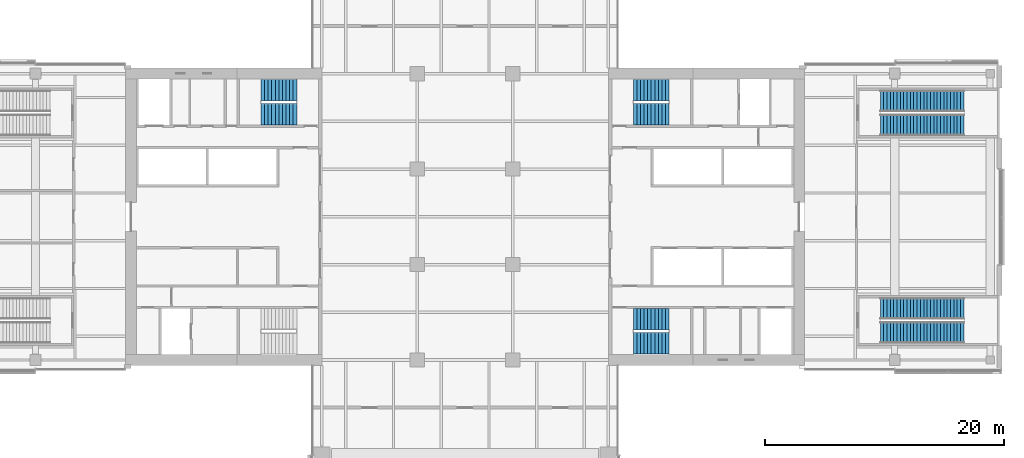
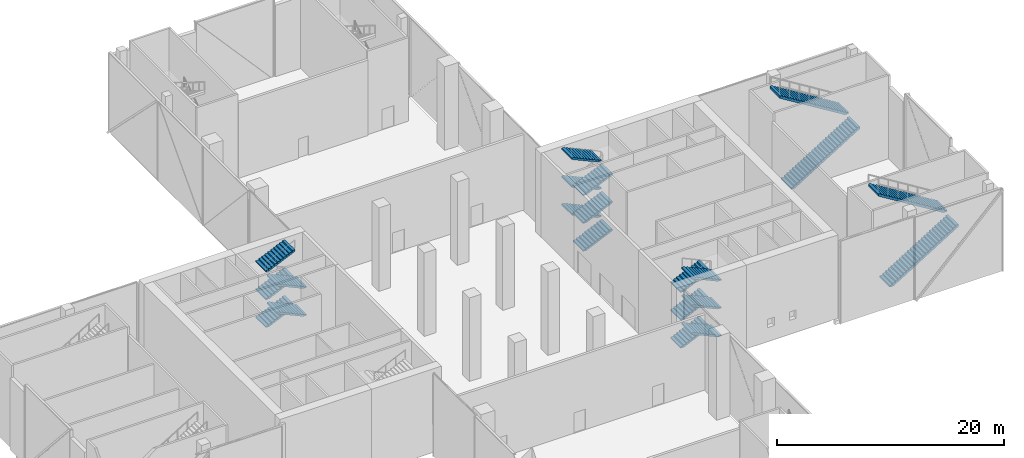
# One storey, part 19 of 26: 21 stair flights, 5 elements without a shape of their own.
"""IFC4 building model written with IfcOpenShell, lengths in metres."""

import ifcopenshell
import ifcopenshell.guid

model = None  # the IFC model being written
_history = None  # IfcOwnerHistory: only IFC2X3 demands one
_inside = {}  # id of a spatial element -> (the spatial element, [elements in it])
_under = {}  # id of a project, library or spatial element -> (it, [spatial elements below it])
_declared = {}  # id of a project -> (the project, [libraries it declares])
_typed = {}  # id of a type object -> (the type object, [elements of that type])
_made_of = {}  # id of a material, layer set ... -> (it, [elements and type objects made of it])


def new_model(schema):
    """Start an empty IFC model of exactly this schema.

    Asked for "IFC4X3", IfcOpenShell would pick the latest addendum, in which some entities
    have other attributes; the version numbers below select the first issue.
    IFC2X3 requires an IfcOwnerHistory on every rooted entity: one is made here for all.
    """
    global model, _history
    if schema == "IFC4X3":
        model = ifcopenshell.file(schema_version=(4, 3, 0, 0))
    else:
        model = ifcopenshell.file(schema=schema)
    _inside.clear()
    _under.clear()
    _declared.clear()
    _typed.clear()
    _made_of.clear()
    _history = None
    if model.schema == "IFC2X3":
        org = make("IfcOrganization", Name="unknown")
        user = make(
            "IfcPersonAndOrganization",
            ThePerson=make("IfcPerson", FamilyName="unknown"),
            TheOrganization=org,
        )
        app = make(
            "IfcApplication",
            ApplicationDeveloper=org,
            Version="unknown",
            ApplicationFullName="unknown",
            ApplicationIdentifier="unknown",
        )
        _history = make(
            "IfcOwnerHistory",
            OwningUser=user,
            OwningApplication=app,
            ChangeAction="ADDED",
            CreationDate=0,
        )
    return model


def make(cls, **values):
    """One entity of the class cls with the attributes given. An attribute that is None is left unset."""
    return model.create_entity(
        cls, **{name: value for name, value in values.items() if value is not None}
    )


def rooted(cls, **values):
    """An entity with a GlobalId (a new one), such as an element, a storey or a relation."""
    return make(cls, GlobalId=ifcopenshell.guid.new(), OwnerHistory=_history, **values)


def si_unit(unit_type, name, prefix=None):
    """IfcSIUnit, for example si_unit("LENGTHUNIT", "METRE", prefix="MILLI")."""
    return make("IfcSIUnit", UnitType=unit_type, Prefix=prefix, Name=name)


def assignment(units):
    """IfcUnitAssignment: the units of a project."""
    return None if units is None else make("IfcUnitAssignment", Units=units)


def point(xyz):
    """IfcCartesianPoint."""
    return None if xyz is None else make("IfcCartesianPoint", Coordinates=xyz)


def direction(xyz):
    """IfcDirection."""
    return None if xyz is None else make("IfcDirection", DirectionRatios=xyz)


def frame(location, z_axis=None, x_axis=None):
    """IfcAxis2Placement3D, a coordinate frame: its origin and axes. An axis left out is left unset."""
    return make(
        "IfcAxis2Placement3D",
        Location=point(location),
        Axis=direction(z_axis),
        RefDirection=direction(x_axis),
    )


def origin():
    """The frame at (0, 0, 0) with its axes left unset."""
    return frame((0.0, 0.0, 0.0))


def place(relative_to, where):
    """IfcLocalPlacement: puts the frame where relative to a parent placement (None: the world)."""
    return make(
        "IfcLocalPlacement", PlacementRelTo=relative_to, RelativePlacement=where
    )


def context(
    kind, dimensions, precision=None, world=None, true_north=None, identifier=None
):
    """IfcGeometricRepresentationContext, for example the 3D "Model" context."""
    return make(
        "IfcGeometricRepresentationContext",
        ContextIdentifier=identifier,
        ContextType=kind,
        CoordinateSpaceDimension=dimensions,
        Precision=precision,
        WorldCoordinateSystem=world,
        TrueNorth=true_north,
    )


def subcontext(parent, identifier, kind, view, scale=None):
    """IfcGeometricRepresentationSubContext, for example "Body" below "Model"."""
    return make(
        "IfcGeometricRepresentationSubContext",
        ContextIdentifier=identifier,
        ContextType=kind,
        ParentContext=parent,
        TargetScale=scale,
        TargetView=view,
    )


def project(units=None, contexts=None):
    """IfcProject with its units and contexts."""
    return rooted(
        "IfcProject",
        Name="project",
        RepresentationContexts=contexts,
        UnitsInContext=assignment(units),
    )


def spatial(cls, under=None, at=None, **own):
    """A site, building, storey or space (cls), placed at a placement, below another one or the project."""
    s = rooted(cls, ObjectPlacement=at, **own)
    if under is not None:
        _under.setdefault(under.id(), (under, []))[1].append(s)
    return s


def polyline(points):
    """IfcPolyline through the points."""
    return make("IfcPolyline", Points=[point(p) for p in points])


def outline(outer, holes=None, kind="AREA"):
    """IfcArbitraryClosedProfileDef: a profile drawn as a closed curve; with holes, ...WithVoids."""
    if holes is None:
        return make("IfcArbitraryClosedProfileDef", ProfileType=kind, OuterCurve=outer)
    return make(
        "IfcArbitraryProfileDefWithVoids",
        ProfileType=kind,
        OuterCurve=outer,
        InnerCurves=holes,
    )


def extrude(swept, where, along, depth):
    """IfcExtrudedAreaSolid: the profile swept, set in the frame where, extruded along a direction by depth."""
    return make(
        "IfcExtrudedAreaSolid",
        SweptArea=swept,
        Position=where,
        ExtrudedDirection=direction(along),
        Depth=depth,
    )


def shape(context_of_items, identifier, shape_type, items):
    """IfcShapeRepresentation: the items that make up one representation, for example the "Body"."""
    return make(
        "IfcShapeRepresentation",
        ContextOfItems=context_of_items,
        RepresentationIdentifier=identifier,
        RepresentationType=shape_type,
        Items=items,
    )


def material(Name=None, Category=None):
    """IfcMaterial."""
    return make("IfcMaterial", Name=Name, Category=Category)


def made_of(thing, what):
    """Note that an element or type object is made of a material, layer set ...; save() writes the relation."""
    if what is not None:
        _made_of.setdefault(what.id(), (what, []))[1].append(thing)
    return thing


def type_object(cls, material=None, **own):
    """A type object (cls), such as IfcWallType, which elements share."""
    return made_of(rooted(cls, **own), material)


def element(
    cls,
    number,
    at=None,
    inside=None,
    cuts=None,
    type_object=None,
    material=None,
    context=None,
    identifier="Body",
    shape_type=None,
    held_by="IfcProductDefinitionShape",
    body=None,
    shapes=None,
    **own,
):
    """One element of the class cls, such as IfcWall. Its Tag is "e" and its number.

    at: its placement. inside: the storey or other place that contains it. cuts: it is an
    opening in that element (IfcRelVoidsElement). A single representation is given by context,
    identifier, shape_type and body (its items); several are given by shapes. held_by: the class
    of the entity that holds the representations. save() writes the other relations.
    """
    e = rooted(cls, Tag="e%d" % number, ObjectPlacement=at, **own)
    if body is not None:
        shapes = [shape(context, identifier, shape_type, body)]
    if shapes is not None:
        e.Representation = make(held_by, Representations=shapes)
    if inside is not None:
        _inside.setdefault(inside.id(), (inside, []))[1].append(e)
    if cuts is not None:
        rooted(
            "IfcRelVoidsElement", RelatingBuildingElement=cuts, RelatedOpeningElement=e
        )
    if type_object is not None:
        _typed.setdefault(type_object.id(), (type_object, []))[1].append(e)
    return made_of(e, material)


def aggregate(whole, parts):
    """IfcRelAggregates: a whole, such as a stair, and the parts it consists of."""
    return rooted("IfcRelAggregates", RelatingObject=whole, RelatedObjects=parts)


def save(model, path):
    """Write the relations noted so far, then the file.

    IfcRelAggregates (storeys below a building ...), IfcRelContainedInSpatialStructure (elements
    in a storey), IfcRelDefinesByType, IfcRelAssociatesMaterial and IfcRelDeclares: one each for
    every whole, place, type object, material and project.
    """
    for whole, parts in _under.values():
        aggregate(whole, parts)
    for where, things in _inside.values():
        rooted(
            "IfcRelContainedInSpatialStructure",
            RelatedElements=things,
            RelatingStructure=where,
        )
    for kind, things in _typed.values():
        rooted("IfcRelDefinesByType", RelatedObjects=things, RelatingType=kind)
    for what, things in _made_of.values():
        rooted("IfcRelAssociatesMaterial", RelatedObjects=things, RelatingMaterial=what)
    for by, libraries in _declared.values():
        rooted("IfcRelDeclares", RelatingContext=by, RelatedDefinitions=libraries)
    model.write(path)


model = new_model("IFC4")

# Units and contexts
model_context = context("Model", 3, precision=1e-05, world=origin(), true_north=direction((0.0, 1.0)))
body_context = subcontext(model_context, "Body", "Model", "MODEL_VIEW")
ifc_project = project(units=[si_unit("LENGTHUNIT", "METRE"), si_unit("AREAUNIT", "SQUARE_METRE"), si_unit("VOLUMEUNIT", "CUBIC_METRE"), si_unit("PLANEANGLEUNIT", "RADIAN"), si_unit("MASSUNIT", "GRAM", prefix="KILO")], contexts=[model_context])

# Site, building, storey
site_placement = place(None, origin())
site = spatial("IfcSite", under=ifc_project, at=site_placement, CompositionType="ELEMENT")
building_placement = place(site_placement, origin())
building = spatial("IfcBuilding", under=site, at=building_placement, Name="Crosswind Convention Tower", CompositionType="ELEMENT")
storey_placement = place(building_placement, frame((0.0, 0.0, 25.0)))
storey = spatial("IfcBuildingStorey", under=building, at=storey_placement, Name="L03", CompositionType="ELEMENT", Elevation=25.0)

# Stair, stair flights
ifc_material = material(Name="Concrete C40/50", Category="concrete")
stair_type_1 = type_object("IfcStairType", Name="PODIUM EXIT STAIR 9000 RISE", PredefinedType="HALF_TURN_STAIR", material=ifc_material)
stair_1_placement = place(storey_placement, origin())
stair_1 = element("IfcStair", 1, at=stair_1_placement, inside=storey, type_object=stair_type_1, Name="Exit stair E1 L03", ObjectType="ST12", PredefinedType="HALF_TURN_STAIR")
stair_flight_type_1 = type_object("IfcStairFlightType", Name="PODIUM STAIR FLIGHT 26 RISERS", PredefinedType="STRAIGHT", material=ifc_material)
stair_flight_1_placement = place(storey_placement, frame((159.800048828125, 90.300048828125, 0.0), z_axis=(0.0, 0.0, 1.0), x_axis=(1.0, 0.0, 0.0)))
stair_flight_1 = element("IfcStairFlight", 2, at=stair_flight_1_placement, type_object=stair_flight_type_1, Name="ST12 flight 1", NumberOfRisers=26, NumberOfTreads=25, PredefinedType="STRAIGHT", RiserHeight=0.173077, TreadLength=0.28, context=body_context, shape_type="SweptSolid", body=[
    extrude(outline(polyline([(0.0, 0.0), (0.0, 0.173095703125), (0.280029296875, 0.173095703125), (0.280029296875, 0.34619140625), (0.56005859375, 0.34619140625), (0.56005859375, 0.519287109375), (0.840087890625, 0.519287109375), (0.840087890625, 0.6923828125), (1.1201171875, 0.6923828125), (1.1201171875, 0.865478515625), (1.39990234375, 0.865478515625), (1.39990234375, 1.03857421875), (1.679931640625, 1.03857421875), (1.679931640625, 1.21142578125), (1.9599609375, 1.21142578125), (1.9599609375, 1.384521484375), (2.239990234375, 1.384521484375), (2.239990234375, 1.5576171875), (2.52001953125, 1.5576171875), (2.52001953125, 1.730712890625), (2.800048828125, 1.730712890625), (2.800048828125, 1.90380859375), (3.080078125, 1.90380859375), (3.080078125, 2.076904296875), (3.360107421875, 2.076904296875), (3.360107421875, 2.25), (3.639892578125, 2.25), (3.639892578125, 2.423095703125), (3.919921875, 2.423095703125), (3.919921875, 2.59619140625), (4.199951171875, 2.59619140625), (4.199951171875, 2.769287109375), (4.47998046875, 2.769287109375), (4.47998046875, 2.9423828125), (4.760009765625, 2.9423828125), (4.760009765625, 3.115478515625), (5.0400390625, 3.115478515625), (5.0400390625, 3.28857421875), (5.320068359375, 3.28857421875), (5.320068359375, 3.46142578125), (5.60009765625, 3.46142578125), (5.60009765625, 3.634521484375), (5.8798828125, 3.634521484375), (5.8798828125, 3.8076171875), (6.159912109375, 3.8076171875), (6.159912109375, 3.980712890625), (6.43994140625, 3.980712890625), (6.43994140625, 4.15380859375), (6.719970703125, 4.15380859375), (6.719970703125, 4.326904296875), (7.0, 4.326904296875), (7.0, 4.5), (7.0, 4.091796875), (0.38037109375, 0.0), (0.0, 0.0)])), frame((0.0, 0.89990234375, 0.0), z_axis=(0.0, -1.0, 0.0), x_axis=(1.0, 0.0, 0.0)), (0.0, 0.0, 1.0), 1.800048828125),
])
stair_flight_2_placement = place(storey_placement, frame((166.800048828125, 92.300048828125, 4.5), z_axis=(0.0, 0.0, 1.0), x_axis=(-1.0, 0.0, 0.0)))
stair_flight_2 = element("IfcStairFlight", 3, at=stair_flight_2_placement, type_object=stair_flight_type_1, Name="ST12 flight 2", NumberOfRisers=26, NumberOfTreads=25, PredefinedType="STRAIGHT", RiserHeight=0.173077, TreadLength=0.28, context=body_context, shape_type="SweptSolid", body=[
    extrude(outline(polyline([(0.0, 0.0), (0.0, 0.173095703125), (0.280029296875, 0.173095703125), (0.280029296875, 0.34619140625), (0.56005859375, 0.34619140625), (0.56005859375, 0.519287109375), (0.840087890625, 0.519287109375), (0.840087890625, 0.6923828125), (1.1201171875, 0.6923828125), (1.1201171875, 0.865478515625), (1.39990234375, 0.865478515625), (1.39990234375, 1.03857421875), (1.679931640625, 1.03857421875), (1.679931640625, 1.21142578125), (1.9599609375, 1.21142578125), (1.9599609375, 1.384521484375), (2.239990234375, 1.384521484375), (2.239990234375, 1.5576171875), (2.52001953125, 1.5576171875), (2.52001953125, 1.730712890625), (2.800048828125, 1.730712890625), (2.800048828125, 1.90380859375), (3.080078125, 1.90380859375), (3.080078125, 2.076904296875), (3.360107421875, 2.076904296875), (3.360107421875, 2.25), (3.639892578125, 2.25), (3.639892578125, 2.423095703125), (3.919921875, 2.423095703125), (3.919921875, 2.59619140625), (4.199951171875, 2.59619140625), (4.199951171875, 2.769287109375), (4.47998046875, 2.769287109375), (4.47998046875, 2.9423828125), (4.760009765625, 2.9423828125), (4.760009765625, 3.115478515625), (5.0400390625, 3.115478515625), (5.0400390625, 3.28857421875), (5.320068359375, 3.28857421875), (5.320068359375, 3.46142578125), (5.60009765625, 3.46142578125), (5.60009765625, 3.634521484375), (5.8798828125, 3.634521484375), (5.8798828125, 3.8076171875), (6.159912109375, 3.8076171875), (6.159912109375, 3.980712890625), (6.43994140625, 3.980712890625), (6.43994140625, 4.15380859375), (6.719970703125, 4.15380859375), (6.719970703125, 4.326904296875), (7.0, 4.326904296875), (7.0, 4.5), (7.0, 4.091796875), (0.38037109375, 0.0), (0.0, 0.0)])), frame((0.0, 0.89990234375, 0.0), z_axis=(0.0, -1.0, 0.0), x_axis=(1.0, 0.0, 0.0)), (0.0, 0.0, 1.0), 1.800048828125),
])
aggregate(stair_1, [stair_flight_1, stair_flight_2])

stair_2_placement = place(storey_placement, origin())
stair_2 = element("IfcStair", 4, at=stair_2_placement, inside=storey, type_object=stair_type_1, Name="Exit stair E2 L03", ObjectType="ST12", PredefinedType="HALF_TURN_STAIR")
stair_flight_3_placement = place(storey_placement, frame((159.800048828125, 107.699951171875, 0.0), z_axis=(0.0, 0.0, 1.0), x_axis=(1.0, 0.0, 0.0)))
stair_flight_3 = element("IfcStairFlight", 5, at=stair_flight_3_placement, type_object=stair_flight_type_1, Name="ST12 flight 1", NumberOfRisers=26, NumberOfTreads=25, PredefinedType="STRAIGHT", RiserHeight=0.173077, TreadLength=0.28, context=body_context, shape_type="SweptSolid", body=[
    extrude(outline(polyline([(0.0, 0.0), (0.0, 0.173095703125), (0.280029296875, 0.173095703125), (0.280029296875, 0.34619140625), (0.56005859375, 0.34619140625), (0.56005859375, 0.519287109375), (0.840087890625, 0.519287109375), (0.840087890625, 0.6923828125), (1.1201171875, 0.6923828125), (1.1201171875, 0.865478515625), (1.39990234375, 0.865478515625), (1.39990234375, 1.03857421875), (1.679931640625, 1.03857421875), (1.679931640625, 1.21142578125), (1.9599609375, 1.21142578125), (1.9599609375, 1.384521484375), (2.239990234375, 1.384521484375), (2.239990234375, 1.5576171875), (2.52001953125, 1.5576171875), (2.52001953125, 1.730712890625), (2.800048828125, 1.730712890625), (2.800048828125, 1.90380859375), (3.080078125, 1.90380859375), (3.080078125, 2.076904296875), (3.360107421875, 2.076904296875), (3.360107421875, 2.25), (3.639892578125, 2.25), (3.639892578125, 2.423095703125), (3.919921875, 2.423095703125), (3.919921875, 2.59619140625), (4.199951171875, 2.59619140625), (4.199951171875, 2.769287109375), (4.47998046875, 2.769287109375), (4.47998046875, 2.9423828125), (4.760009765625, 2.9423828125), (4.760009765625, 3.115478515625), (5.0400390625, 3.115478515625), (5.0400390625, 3.28857421875), (5.320068359375, 3.28857421875), (5.320068359375, 3.46142578125), (5.60009765625, 3.46142578125), (5.60009765625, 3.634521484375), (5.8798828125, 3.634521484375), (5.8798828125, 3.8076171875), (6.159912109375, 3.8076171875), (6.159912109375, 3.980712890625), (6.43994140625, 3.980712890625), (6.43994140625, 4.15380859375), (6.719970703125, 4.15380859375), (6.719970703125, 4.326904296875), (7.0, 4.326904296875), (7.0, 4.5), (7.0, 4.091796875), (0.38037109375, 0.0), (0.0, 0.0)])), frame((0.0, 0.89990234375, 0.0), z_axis=(0.0, -1.0, 0.0), x_axis=(1.0, 0.0, 0.0)), (0.0, 0.0, 1.0), 1.800048828125),
])
stair_flight_4_placement = place(storey_placement, frame((166.800048828125, 109.699951171875, 4.5), z_axis=(0.0, 0.0, 1.0), x_axis=(-1.0, 0.0, 0.0)))
stair_flight_4 = element("IfcStairFlight", 6, at=stair_flight_4_placement, type_object=stair_flight_type_1, Name="ST12 flight 2", NumberOfRisers=26, NumberOfTreads=25, PredefinedType="STRAIGHT", RiserHeight=0.173077, TreadLength=0.28, context=body_context, shape_type="SweptSolid", body=[
    extrude(outline(polyline([(0.0, 0.0), (0.0, 0.173095703125), (0.280029296875, 0.173095703125), (0.280029296875, 0.34619140625), (0.56005859375, 0.34619140625), (0.56005859375, 0.519287109375), (0.840087890625, 0.519287109375), (0.840087890625, 0.6923828125), (1.1201171875, 0.6923828125), (1.1201171875, 0.865478515625), (1.39990234375, 0.865478515625), (1.39990234375, 1.03857421875), (1.679931640625, 1.03857421875), (1.679931640625, 1.21142578125), (1.9599609375, 1.21142578125), (1.9599609375, 1.384521484375), (2.239990234375, 1.384521484375), (2.239990234375, 1.5576171875), (2.52001953125, 1.5576171875), (2.52001953125, 1.730712890625), (2.800048828125, 1.730712890625), (2.800048828125, 1.90380859375), (3.080078125, 1.90380859375), (3.080078125, 2.076904296875), (3.360107421875, 2.076904296875), (3.360107421875, 2.25), (3.639892578125, 2.25), (3.639892578125, 2.423095703125), (3.919921875, 2.423095703125), (3.919921875, 2.59619140625), (4.199951171875, 2.59619140625), (4.199951171875, 2.769287109375), (4.47998046875, 2.769287109375), (4.47998046875, 2.9423828125), (4.760009765625, 2.9423828125), (4.760009765625, 3.115478515625), (5.0400390625, 3.115478515625), (5.0400390625, 3.28857421875), (5.320068359375, 3.28857421875), (5.320068359375, 3.46142578125), (5.60009765625, 3.46142578125), (5.60009765625, 3.634521484375), (5.8798828125, 3.634521484375), (5.8798828125, 3.8076171875), (6.159912109375, 3.8076171875), (6.159912109375, 3.980712890625), (6.43994140625, 3.980712890625), (6.43994140625, 4.15380859375), (6.719970703125, 4.15380859375), (6.719970703125, 4.326904296875), (7.0, 4.326904296875), (7.0, 4.5), (7.0, 4.091796875), (0.38037109375, 0.0), (0.0, 0.0)])), frame((0.0, 0.89990234375, 0.0), z_axis=(0.0, -1.0, 0.0), x_axis=(1.0, 0.0, 0.0)), (0.0, 0.0, 1.0), 1.800048828125),
])
aggregate(stair_2, [stair_flight_3, stair_flight_4])

stair_type_2 = type_object("IfcStairType", Name="Exit stair 1800 wide, 6 flights of 11 risers", PredefinedType="HALF_TURN_STAIR", material=ifc_material)
stair_3_placement = place(storey_placement, origin())
stair_3 = element("IfcStair", 7, at=stair_3_placement, inside=storey, type_object=stair_type_2, Name="Exit stair ST1 L03", ObjectType="ST7", PredefinedType="HALF_TURN_STAIR")
stair_flight_type_2 = type_object("IfcStairFlightType", Name="Stair flight 1800 wide, 11 risers (SF1)", PredefinedType="STRAIGHT", material=ifc_material)
stair_flight_5_placement = place(storey_placement, frame((139.10009765625, 108.60009765625, 0.0), z_axis=(0.0, 0.0, 1.0), x_axis=(1.0, 0.0, 0.0)))
stair_flight_5 = element("IfcStairFlight", 8, at=stair_flight_5_placement, type_object=stair_flight_type_2, Name="ST1 flight 1", NumberOfRisers=11, NumberOfTreads=10, PredefinedType="STRAIGHT", RiserHeight=0.136363636, TreadLength=0.3, context=body_context, shape_type="SweptSolid", body=[
    extrude(outline(polyline([(0.0, 0.0), (0.0, 0.136474609375), (0.300048828125, 0.136474609375), (0.300048828125, 0.272705078125), (0.60009765625, 0.272705078125), (0.60009765625, 0.4091796875), (0.89990234375, 0.4091796875), (0.89990234375, 0.54541015625), (1.199951171875, 0.54541015625), (1.199951171875, 0.681884765625), (1.5, 0.681884765625), (1.5, 0.818115234375), (1.800048828125, 0.818115234375), (1.800048828125, 0.95458984375), (2.10009765625, 0.95458984375), (2.10009765625, 1.0908203125), (2.39990234375, 1.0908203125), (2.39990234375, 1.227294921875), (2.699951171875, 1.227294921875), (2.699951171875, 1.363525390625), (3.0, 1.363525390625), (3.0, 1.5), (3.0, 1.198974609375), (0.3623046875, 0.0), (0.0, 0.0)])), frame((0.0, 0.89990234375, 0.0), z_axis=(0.0, -1.0, 0.0), x_axis=(1.0, 0.0, 0.0)), (0.0, 0.0, 1.0), 1.800048828125),
])
stair_flight_6_placement = place(storey_placement, frame((142.10009765625, 110.60009765625, 1.5), z_axis=(0.0, 0.0, 1.0), x_axis=(-1.0, 0.0, 0.0)))
stair_flight_6 = element("IfcStairFlight", 9, at=stair_flight_6_placement, type_object=stair_flight_type_2, Name="ST1 flight 2", NumberOfRisers=11, NumberOfTreads=10, PredefinedType="STRAIGHT", RiserHeight=0.136363636, TreadLength=0.3, context=body_context, shape_type="SweptSolid", body=[
    extrude(outline(polyline([(0.0, 0.0), (0.0, 0.136474609375), (0.300048828125, 0.136474609375), (0.300048828125, 0.272705078125), (0.60009765625, 0.272705078125), (0.60009765625, 0.4091796875), (0.89990234375, 0.4091796875), (0.89990234375, 0.54541015625), (1.199951171875, 0.54541015625), (1.199951171875, 0.681884765625), (1.5, 0.681884765625), (1.5, 0.818115234375), (1.800048828125, 0.818115234375), (1.800048828125, 0.95458984375), (2.10009765625, 0.95458984375), (2.10009765625, 1.0908203125), (2.39990234375, 1.0908203125), (2.39990234375, 1.227294921875), (2.699951171875, 1.227294921875), (2.699951171875, 1.363525390625), (3.0, 1.363525390625), (3.0, 1.5), (3.0, 1.198974609375), (0.3623046875, 0.0), (0.0, 0.0)])), frame((0.0, 0.89990234375, 0.0), z_axis=(0.0, -1.0, 0.0), x_axis=(1.0, 0.0, 0.0)), (0.0, 0.0, 1.0), 1.800048828125),
])
stair_flight_7_placement = place(storey_placement, frame((139.10009765625, 108.60009765625, 3.0), z_axis=(0.0, 0.0, 1.0), x_axis=(1.0, 0.0, 0.0)))
stair_flight_7 = element("IfcStairFlight", 10, at=stair_flight_7_placement, type_object=stair_flight_type_2, Name="ST1 flight 3", NumberOfRisers=11, NumberOfTreads=10, PredefinedType="STRAIGHT", RiserHeight=0.136363636, TreadLength=0.3, context=body_context, shape_type="SweptSolid", body=[
    extrude(outline(polyline([(0.0, 0.0), (0.0, 0.136474609375), (0.300048828125, 0.136474609375), (0.300048828125, 0.272705078125), (0.60009765625, 0.272705078125), (0.60009765625, 0.4091796875), (0.89990234375, 0.4091796875), (0.89990234375, 0.54541015625), (1.199951171875, 0.54541015625), (1.199951171875, 0.681884765625), (1.5, 0.681884765625), (1.5, 0.818115234375), (1.800048828125, 0.818115234375), (1.800048828125, 0.95458984375), (2.10009765625, 0.95458984375), (2.10009765625, 1.0908203125), (2.39990234375, 1.0908203125), (2.39990234375, 1.227294921875), (2.699951171875, 1.227294921875), (2.699951171875, 1.363525390625), (3.0, 1.363525390625), (3.0, 1.5), (3.0, 1.198974609375), (0.3623046875, 0.0), (0.0, 0.0)])), frame((0.0, 0.89990234375, 0.0), z_axis=(0.0, -1.0, 0.0), x_axis=(1.0, 0.0, 0.0)), (0.0, 0.0, 1.0), 1.800048828125),
])
stair_flight_8_placement = place(storey_placement, frame((142.10009765625, 110.60009765625, 4.5), z_axis=(0.0, 0.0, 1.0), x_axis=(-1.0, 0.0, 0.0)))
stair_flight_8 = element("IfcStairFlight", 11, at=stair_flight_8_placement, type_object=stair_flight_type_2, Name="ST1 flight 4", NumberOfRisers=11, NumberOfTreads=10, PredefinedType="STRAIGHT", RiserHeight=0.136363636, TreadLength=0.3, context=body_context, shape_type="SweptSolid", body=[
    extrude(outline(polyline([(0.0, 0.0), (0.0, 0.136474609375), (0.300048828125, 0.136474609375), (0.300048828125, 0.272705078125), (0.60009765625, 0.272705078125), (0.60009765625, 0.4091796875), (0.89990234375, 0.4091796875), (0.89990234375, 0.54541015625), (1.199951171875, 0.54541015625), (1.199951171875, 0.681884765625), (1.5, 0.681884765625), (1.5, 0.818115234375), (1.800048828125, 0.818115234375), (1.800048828125, 0.95458984375), (2.10009765625, 0.95458984375), (2.10009765625, 1.0908203125), (2.39990234375, 1.0908203125), (2.39990234375, 1.227294921875), (2.699951171875, 1.227294921875), (2.699951171875, 1.363525390625), (3.0, 1.363525390625), (3.0, 1.5), (3.0, 1.198974609375), (0.3623046875, 0.0), (0.0, 0.0)])), frame((0.0, 0.89990234375, 0.0), z_axis=(0.0, -1.0, 0.0), x_axis=(1.0, 0.0, 0.0)), (0.0, 0.0, 1.0), 1.800048828125),
])
stair_flight_9_placement = place(storey_placement, frame((139.10009765625, 108.60009765625, 6.0), z_axis=(0.0, 0.0, 1.0), x_axis=(1.0, 0.0, 0.0)))
stair_flight_9 = element("IfcStairFlight", 12, at=stair_flight_9_placement, type_object=stair_flight_type_2, Name="ST1 flight 5", NumberOfRisers=11, NumberOfTreads=10, PredefinedType="STRAIGHT", RiserHeight=0.136363636, TreadLength=0.3, context=body_context, shape_type="SweptSolid", body=[
    extrude(outline(polyline([(0.0, 0.0), (0.0, 0.136474609375), (0.300048828125, 0.136474609375), (0.300048828125, 0.272705078125), (0.60009765625, 0.272705078125), (0.60009765625, 0.4091796875), (0.89990234375, 0.4091796875), (0.89990234375, 0.54541015625), (1.199951171875, 0.54541015625), (1.199951171875, 0.681884765625), (1.5, 0.681884765625), (1.5, 0.818115234375), (1.800048828125, 0.818115234375), (1.800048828125, 0.95458984375), (2.10009765625, 0.95458984375), (2.10009765625, 1.0908203125), (2.39990234375, 1.0908203125), (2.39990234375, 1.227294921875), (2.699951171875, 1.227294921875), (2.699951171875, 1.363525390625), (3.0, 1.363525390625), (3.0, 1.5), (3.0, 1.198974609375), (0.3623046875, 0.0), (0.0, 0.0)])), frame((0.0, 0.89990234375, 0.0), z_axis=(0.0, -1.0, 0.0), x_axis=(1.0, 0.0, 0.0)), (0.0, 0.0, 1.0), 1.800048828125),
])
stair_flight_10_placement = place(storey_placement, frame((142.10009765625, 110.60009765625, 7.5), z_axis=(0.0, 0.0, 1.0), x_axis=(-1.0, 0.0, 0.0)))
stair_flight_10 = element("IfcStairFlight", 13, at=stair_flight_10_placement, type_object=stair_flight_type_2, Name="ST1 flight 6", NumberOfRisers=11, NumberOfTreads=10, PredefinedType="STRAIGHT", RiserHeight=0.136363636, TreadLength=0.3, context=body_context, shape_type="SweptSolid", body=[
    extrude(outline(polyline([(0.0, 0.0), (0.0, 0.136474609375), (0.300048828125, 0.136474609375), (0.300048828125, 0.272705078125), (0.60009765625, 0.272705078125), (0.60009765625, 0.4091796875), (0.89990234375, 0.4091796875), (0.89990234375, 0.54541015625), (1.199951171875, 0.54541015625), (1.199951171875, 0.681884765625), (1.5, 0.681884765625), (1.5, 0.818115234375), (1.800048828125, 0.818115234375), (1.800048828125, 0.95458984375), (2.10009765625, 0.95458984375), (2.10009765625, 1.0908203125), (2.39990234375, 1.0908203125), (2.39990234375, 1.227294921875), (2.699951171875, 1.227294921875), (2.699951171875, 1.363525390625), (3.0, 1.363525390625), (3.0, 1.5), (3.0, 1.198974609375), (0.3623046875, 0.0), (0.0, 0.0)])), frame((0.0, 0.89990234375, 0.0), z_axis=(0.0, -1.0, 0.0), x_axis=(1.0, 0.0, 0.0)), (0.0, 0.0, 1.0), 1.800048828125),
])
aggregate(stair_3, [stair_flight_5, stair_flight_6, stair_flight_7, stair_flight_8, stair_flight_9, stair_flight_10])

stair_4_placement = place(storey_placement, origin())
stair_4 = element("IfcStair", 14, at=stair_4_placement, inside=storey, type_object=stair_type_2, Name="Exit stair ST2 L03", ObjectType="ST7", PredefinedType="HALF_TURN_STAIR")
stair_flight_11_placement = place(storey_placement, frame((139.10009765625, 91.39990234375, 0.0), z_axis=(0.0, 0.0, 1.0), x_axis=(1.0, 0.0, 0.0)))
stair_flight_11 = element("IfcStairFlight", 15, at=stair_flight_11_placement, type_object=stair_flight_type_2, Name="ST2 flight 1", NumberOfRisers=11, NumberOfTreads=10, PredefinedType="STRAIGHT", RiserHeight=0.136363636, TreadLength=0.3, context=body_context, shape_type="SweptSolid", body=[
    extrude(outline(polyline([(0.0, 0.0), (0.0, 0.136474609375), (0.300048828125, 0.136474609375), (0.300048828125, 0.272705078125), (0.60009765625, 0.272705078125), (0.60009765625, 0.4091796875), (0.89990234375, 0.4091796875), (0.89990234375, 0.54541015625), (1.199951171875, 0.54541015625), (1.199951171875, 0.681884765625), (1.5, 0.681884765625), (1.5, 0.818115234375), (1.800048828125, 0.818115234375), (1.800048828125, 0.95458984375), (2.10009765625, 0.95458984375), (2.10009765625, 1.0908203125), (2.39990234375, 1.0908203125), (2.39990234375, 1.227294921875), (2.699951171875, 1.227294921875), (2.699951171875, 1.363525390625), (3.0, 1.363525390625), (3.0, 1.5), (3.0, 1.198974609375), (0.3623046875, 0.0), (0.0, 0.0)])), frame((0.0, 0.89990234375, 0.0), z_axis=(0.0, -1.0, 0.0), x_axis=(1.0, 0.0, 0.0)), (0.0, 0.0, 1.0), 1.800048828125),
])
stair_flight_12_placement = place(storey_placement, frame((142.10009765625, 89.39990234375, 1.5), z_axis=(0.0, 0.0, 1.0), x_axis=(-1.0, 0.0, 0.0)))
stair_flight_12 = element("IfcStairFlight", 16, at=stair_flight_12_placement, type_object=stair_flight_type_2, Name="ST2 flight 2", NumberOfRisers=11, NumberOfTreads=10, PredefinedType="STRAIGHT", RiserHeight=0.136363636, TreadLength=0.3, context=body_context, shape_type="SweptSolid", body=[
    extrude(outline(polyline([(0.0, 0.0), (0.0, 0.136474609375), (0.300048828125, 0.136474609375), (0.300048828125, 0.272705078125), (0.60009765625, 0.272705078125), (0.60009765625, 0.4091796875), (0.89990234375, 0.4091796875), (0.89990234375, 0.54541015625), (1.199951171875, 0.54541015625), (1.199951171875, 0.681884765625), (1.5, 0.681884765625), (1.5, 0.818115234375), (1.800048828125, 0.818115234375), (1.800048828125, 0.95458984375), (2.10009765625, 0.95458984375), (2.10009765625, 1.0908203125), (2.39990234375, 1.0908203125), (2.39990234375, 1.227294921875), (2.699951171875, 1.227294921875), (2.699951171875, 1.363525390625), (3.0, 1.363525390625), (3.0, 1.5), (3.0, 1.198974609375), (0.3623046875, 0.0), (0.0, 0.0)])), frame((0.0, 0.89990234375, 0.0), z_axis=(0.0, -1.0, 0.0), x_axis=(1.0, 0.0, 0.0)), (0.0, 0.0, 1.0), 1.800048828125),
])
stair_flight_13_placement = place(storey_placement, frame((139.10009765625, 91.39990234375, 3.0), z_axis=(0.0, 0.0, 1.0), x_axis=(1.0, 0.0, 0.0)))
stair_flight_13 = element("IfcStairFlight", 17, at=stair_flight_13_placement, type_object=stair_flight_type_2, Name="ST2 flight 3", NumberOfRisers=11, NumberOfTreads=10, PredefinedType="STRAIGHT", RiserHeight=0.136363636, TreadLength=0.3, context=body_context, shape_type="SweptSolid", body=[
    extrude(outline(polyline([(0.0, 0.0), (0.0, 0.136474609375), (0.300048828125, 0.136474609375), (0.300048828125, 0.272705078125), (0.60009765625, 0.272705078125), (0.60009765625, 0.4091796875), (0.89990234375, 0.4091796875), (0.89990234375, 0.54541015625), (1.199951171875, 0.54541015625), (1.199951171875, 0.681884765625), (1.5, 0.681884765625), (1.5, 0.818115234375), (1.800048828125, 0.818115234375), (1.800048828125, 0.95458984375), (2.10009765625, 0.95458984375), (2.10009765625, 1.0908203125), (2.39990234375, 1.0908203125), (2.39990234375, 1.227294921875), (2.699951171875, 1.227294921875), (2.699951171875, 1.363525390625), (3.0, 1.363525390625), (3.0, 1.5), (3.0, 1.198974609375), (0.3623046875, 0.0), (0.0, 0.0)])), frame((0.0, 0.89990234375, 0.0), z_axis=(0.0, -1.0, 0.0), x_axis=(1.0, 0.0, 0.0)), (0.0, 0.0, 1.0), 1.800048828125),
])
stair_flight_14_placement = place(storey_placement, frame((142.10009765625, 89.39990234375, 4.5), z_axis=(0.0, 0.0, 1.0), x_axis=(-1.0, 0.0, 0.0)))
stair_flight_14 = element("IfcStairFlight", 18, at=stair_flight_14_placement, type_object=stair_flight_type_2, Name="ST2 flight 4", NumberOfRisers=11, NumberOfTreads=10, PredefinedType="STRAIGHT", RiserHeight=0.136363636, TreadLength=0.3, context=body_context, shape_type="SweptSolid", body=[
    extrude(outline(polyline([(0.0, 0.0), (0.0, 0.136474609375), (0.300048828125, 0.136474609375), (0.300048828125, 0.272705078125), (0.60009765625, 0.272705078125), (0.60009765625, 0.4091796875), (0.89990234375, 0.4091796875), (0.89990234375, 0.54541015625), (1.199951171875, 0.54541015625), (1.199951171875, 0.681884765625), (1.5, 0.681884765625), (1.5, 0.818115234375), (1.800048828125, 0.818115234375), (1.800048828125, 0.95458984375), (2.10009765625, 0.95458984375), (2.10009765625, 1.0908203125), (2.39990234375, 1.0908203125), (2.39990234375, 1.227294921875), (2.699951171875, 1.227294921875), (2.699951171875, 1.363525390625), (3.0, 1.363525390625), (3.0, 1.5), (3.0, 1.198974609375), (0.3623046875, 0.0), (0.0, 0.0)])), frame((0.0, 0.89990234375, 0.0), z_axis=(0.0, -1.0, 0.0), x_axis=(1.0, 0.0, 0.0)), (0.0, 0.0, 1.0), 1.800048828125),
])
stair_flight_15_placement = place(storey_placement, frame((139.10009765625, 91.39990234375, 6.0), z_axis=(0.0, 0.0, 1.0), x_axis=(1.0, 0.0, 0.0)))
stair_flight_15 = element("IfcStairFlight", 19, at=stair_flight_15_placement, type_object=stair_flight_type_2, Name="ST2 flight 5", NumberOfRisers=11, NumberOfTreads=10, PredefinedType="STRAIGHT", RiserHeight=0.136363636, TreadLength=0.3, context=body_context, shape_type="SweptSolid", body=[
    extrude(outline(polyline([(0.0, 0.0), (0.0, 0.136474609375), (0.300048828125, 0.136474609375), (0.300048828125, 0.272705078125), (0.60009765625, 0.272705078125), (0.60009765625, 0.4091796875), (0.89990234375, 0.4091796875), (0.89990234375, 0.54541015625), (1.199951171875, 0.54541015625), (1.199951171875, 0.681884765625), (1.5, 0.681884765625), (1.5, 0.818115234375), (1.800048828125, 0.818115234375), (1.800048828125, 0.95458984375), (2.10009765625, 0.95458984375), (2.10009765625, 1.0908203125), (2.39990234375, 1.0908203125), (2.39990234375, 1.227294921875), (2.699951171875, 1.227294921875), (2.699951171875, 1.363525390625), (3.0, 1.363525390625), (3.0, 1.5), (3.0, 1.198974609375), (0.3623046875, 0.0), (0.0, 0.0)])), frame((0.0, 0.89990234375, 0.0), z_axis=(0.0, -1.0, 0.0), x_axis=(1.0, 0.0, 0.0)), (0.0, 0.0, 1.0), 1.800048828125),
])
stair_flight_16_placement = place(storey_placement, frame((142.10009765625, 89.39990234375, 7.5), z_axis=(0.0, 0.0, 1.0), x_axis=(-1.0, 0.0, 0.0)))
stair_flight_16 = element("IfcStairFlight", 20, at=stair_flight_16_placement, type_object=stair_flight_type_2, Name="ST2 flight 6", NumberOfRisers=11, NumberOfTreads=10, PredefinedType="STRAIGHT", RiserHeight=0.136363636, TreadLength=0.3, context=body_context, shape_type="SweptSolid", body=[
    extrude(outline(polyline([(0.0, 0.0), (0.0, 0.136474609375), (0.300048828125, 0.136474609375), (0.300048828125, 0.272705078125), (0.60009765625, 0.272705078125), (0.60009765625, 0.4091796875), (0.89990234375, 0.4091796875), (0.89990234375, 0.54541015625), (1.199951171875, 0.54541015625), (1.199951171875, 0.681884765625), (1.5, 0.681884765625), (1.5, 0.818115234375), (1.800048828125, 0.818115234375), (1.800048828125, 0.95458984375), (2.10009765625, 0.95458984375), (2.10009765625, 1.0908203125), (2.39990234375, 1.0908203125), (2.39990234375, 1.227294921875), (2.699951171875, 1.227294921875), (2.699951171875, 1.363525390625), (3.0, 1.363525390625), (3.0, 1.5), (3.0, 1.198974609375), (0.3623046875, 0.0), (0.0, 0.0)])), frame((0.0, 0.89990234375, 0.0), z_axis=(0.0, -1.0, 0.0), x_axis=(1.0, 0.0, 0.0)), (0.0, 0.0, 1.0), 1.800048828125),
])
aggregate(stair_4, [stair_flight_11, stair_flight_12, stair_flight_13, stair_flight_14, stair_flight_15, stair_flight_16])

stair_5_placement = place(storey_placement, origin())
stair_5 = element("IfcStair", 21, at=stair_5_placement, inside=storey, type_object=stair_type_2, Name="Exit stair ST4 L03", ObjectType="ST7", PredefinedType="HALF_TURN_STAIR")
stair_flight_17_placement = place(storey_placement, frame((107.89990234375, 110.60009765625, 1.5), z_axis=(0.0, 0.0, 1.0), x_axis=(1.0, 0.0, 0.0)))
stair_flight_17 = element("IfcStairFlight", 22, at=stair_flight_17_placement, type_object=stair_flight_type_2, Name="ST4 flight 2", NumberOfRisers=11, NumberOfTreads=10, PredefinedType="STRAIGHT", RiserHeight=0.136363636, TreadLength=0.3, context=body_context, shape_type="SweptSolid", body=[
    extrude(outline(polyline([(0.0, 0.0), (0.0, 0.136474609375), (0.300048828125, 0.136474609375), (0.300048828125, 0.272705078125), (0.60009765625, 0.272705078125), (0.60009765625, 0.4091796875), (0.89990234375, 0.4091796875), (0.89990234375, 0.54541015625), (1.199951171875, 0.54541015625), (1.199951171875, 0.681884765625), (1.5, 0.681884765625), (1.5, 0.818115234375), (1.800048828125, 0.818115234375), (1.800048828125, 0.95458984375), (2.10009765625, 0.95458984375), (2.10009765625, 1.0908203125), (2.39990234375, 1.0908203125), (2.39990234375, 1.227294921875), (2.699951171875, 1.227294921875), (2.699951171875, 1.363525390625), (3.0, 1.363525390625), (3.0, 1.5), (3.0, 1.198974609375), (0.3623046875, 0.0), (0.0, 0.0)])), frame((0.0, 0.89990234375, 0.0), z_axis=(0.0, -1.0, 0.0), x_axis=(1.0, 0.0, 0.0)), (0.0, 0.0, 1.0), 1.800048828125),
])
stair_flight_18_placement = place(storey_placement, frame((110.89990234375, 108.60009765625, 3.0), z_axis=(0.0, 0.0, 1.0), x_axis=(-1.0, 0.0, 0.0)))
stair_flight_18 = element("IfcStairFlight", 23, at=stair_flight_18_placement, type_object=stair_flight_type_2, Name="ST4 flight 3", NumberOfRisers=11, NumberOfTreads=10, PredefinedType="STRAIGHT", RiserHeight=0.136363636, TreadLength=0.3, context=body_context, shape_type="SweptSolid", body=[
    extrude(outline(polyline([(0.0, 0.0), (0.0, 0.136474609375), (0.300048828125, 0.136474609375), (0.300048828125, 0.272705078125), (0.60009765625, 0.272705078125), (0.60009765625, 0.4091796875), (0.89990234375, 0.4091796875), (0.89990234375, 0.54541015625), (1.199951171875, 0.54541015625), (1.199951171875, 0.681884765625), (1.5, 0.681884765625), (1.5, 0.818115234375), (1.800048828125, 0.818115234375), (1.800048828125, 0.95458984375), (2.10009765625, 0.95458984375), (2.10009765625, 1.0908203125), (2.39990234375, 1.0908203125), (2.39990234375, 1.227294921875), (2.699951171875, 1.227294921875), (2.699951171875, 1.363525390625), (3.0, 1.363525390625), (3.0, 1.5), (3.0, 1.198974609375), (0.3623046875, 0.0), (0.0, 0.0)])), frame((0.0, 0.89990234375, 0.0), z_axis=(0.0, -1.0, 0.0), x_axis=(1.0, 0.0, 0.0)), (0.0, 0.0, 1.0), 1.800048828125),
])
stair_flight_19_placement = place(storey_placement, frame((107.89990234375, 110.60009765625, 4.5), z_axis=(0.0, 0.0, 1.0), x_axis=(1.0, 0.0, 0.0)))
stair_flight_19 = element("IfcStairFlight", 24, at=stair_flight_19_placement, type_object=stair_flight_type_2, Name="ST4 flight 4", NumberOfRisers=11, NumberOfTreads=10, PredefinedType="STRAIGHT", RiserHeight=0.136363636, TreadLength=0.3, context=body_context, shape_type="SweptSolid", body=[
    extrude(outline(polyline([(0.0, 0.0), (0.0, 0.136474609375), (0.300048828125, 0.136474609375), (0.300048828125, 0.272705078125), (0.60009765625, 0.272705078125), (0.60009765625, 0.4091796875), (0.89990234375, 0.4091796875), (0.89990234375, 0.54541015625), (1.199951171875, 0.54541015625), (1.199951171875, 0.681884765625), (1.5, 0.681884765625), (1.5, 0.818115234375), (1.800048828125, 0.818115234375), (1.800048828125, 0.95458984375), (2.10009765625, 0.95458984375), (2.10009765625, 1.0908203125), (2.39990234375, 1.0908203125), (2.39990234375, 1.227294921875), (2.699951171875, 1.227294921875), (2.699951171875, 1.363525390625), (3.0, 1.363525390625), (3.0, 1.5), (3.0, 1.198974609375), (0.3623046875, 0.0), (0.0, 0.0)])), frame((0.0, 0.89990234375, 0.0), z_axis=(0.0, -1.0, 0.0), x_axis=(1.0, 0.0, 0.0)), (0.0, 0.0, 1.0), 1.800048828125),
])
stair_flight_20_placement = place(storey_placement, frame((110.89990234375, 108.60009765625, 6.0), z_axis=(0.0, 0.0, 1.0), x_axis=(-1.0, 0.0, 0.0)))
stair_flight_20 = element("IfcStairFlight", 25, at=stair_flight_20_placement, type_object=stair_flight_type_2, Name="ST4 flight 5", NumberOfRisers=11, NumberOfTreads=10, PredefinedType="STRAIGHT", RiserHeight=0.136363636, TreadLength=0.3, context=body_context, shape_type="SweptSolid", body=[
    extrude(outline(polyline([(0.0, 0.0), (0.0, 0.136474609375), (0.300048828125, 0.136474609375), (0.300048828125, 0.272705078125), (0.60009765625, 0.272705078125), (0.60009765625, 0.4091796875), (0.89990234375, 0.4091796875), (0.89990234375, 0.54541015625), (1.199951171875, 0.54541015625), (1.199951171875, 0.681884765625), (1.5, 0.681884765625), (1.5, 0.818115234375), (1.800048828125, 0.818115234375), (1.800048828125, 0.95458984375), (2.10009765625, 0.95458984375), (2.10009765625, 1.0908203125), (2.39990234375, 1.0908203125), (2.39990234375, 1.227294921875), (2.699951171875, 1.227294921875), (2.699951171875, 1.363525390625), (3.0, 1.363525390625), (3.0, 1.5), (3.0, 1.198974609375), (0.3623046875, 0.0), (0.0, 0.0)])), frame((0.0, 0.89990234375, 0.0), z_axis=(0.0, -1.0, 0.0), x_axis=(1.0, 0.0, 0.0)), (0.0, 0.0, 1.0), 1.800048828125),
])
stair_flight_21_placement = place(storey_placement, frame((107.89990234375, 110.60009765625, 7.5), z_axis=(0.0, 0.0, 1.0), x_axis=(1.0, 0.0, 0.0)))
stair_flight_21 = element("IfcStairFlight", 26, at=stair_flight_21_placement, type_object=stair_flight_type_2, Name="ST4 flight 6", NumberOfRisers=11, NumberOfTreads=10, PredefinedType="STRAIGHT", RiserHeight=0.136363636, TreadLength=0.3, context=body_context, shape_type="SweptSolid", body=[
    extrude(outline(polyline([(0.0, 0.0), (0.0, 0.136474609375), (0.300048828125, 0.136474609375), (0.300048828125, 0.272705078125), (0.60009765625, 0.272705078125), (0.60009765625, 0.4091796875), (0.89990234375, 0.4091796875), (0.89990234375, 0.54541015625), (1.199951171875, 0.54541015625), (1.199951171875, 0.681884765625), (1.5, 0.681884765625), (1.5, 0.818115234375), (1.800048828125, 0.818115234375), (1.800048828125, 0.95458984375), (2.10009765625, 0.95458984375), (2.10009765625, 1.0908203125), (2.39990234375, 1.0908203125), (2.39990234375, 1.227294921875), (2.699951171875, 1.227294921875), (2.699951171875, 1.363525390625), (3.0, 1.363525390625), (3.0, 1.5), (3.0, 1.198974609375), (0.3623046875, 0.0), (0.0, 0.0)])), frame((0.0, 0.89990234375, 0.0), z_axis=(0.0, -1.0, 0.0), x_axis=(1.0, 0.0, 0.0)), (0.0, 0.0, 1.0), 1.800048828125),
])
aggregate(stair_5, [stair_flight_17, stair_flight_18, stair_flight_19, stair_flight_20, stair_flight_21])

save(model, "model.ifc")
